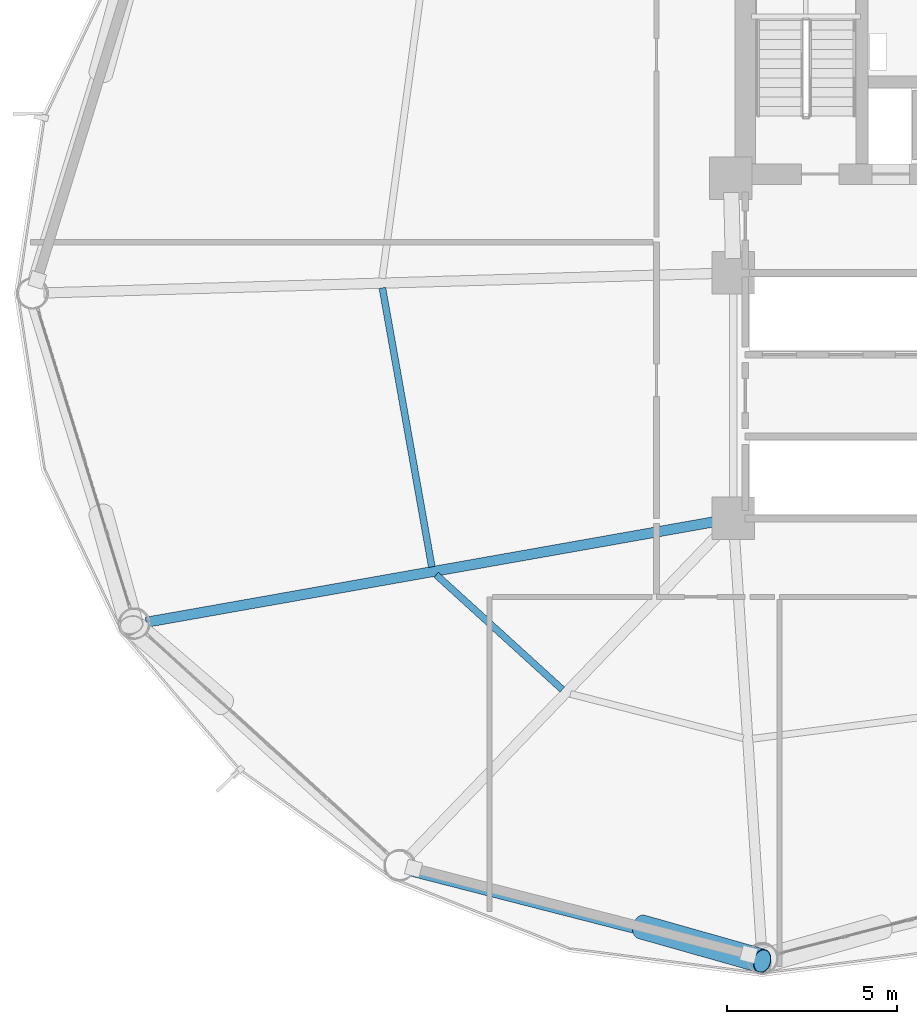
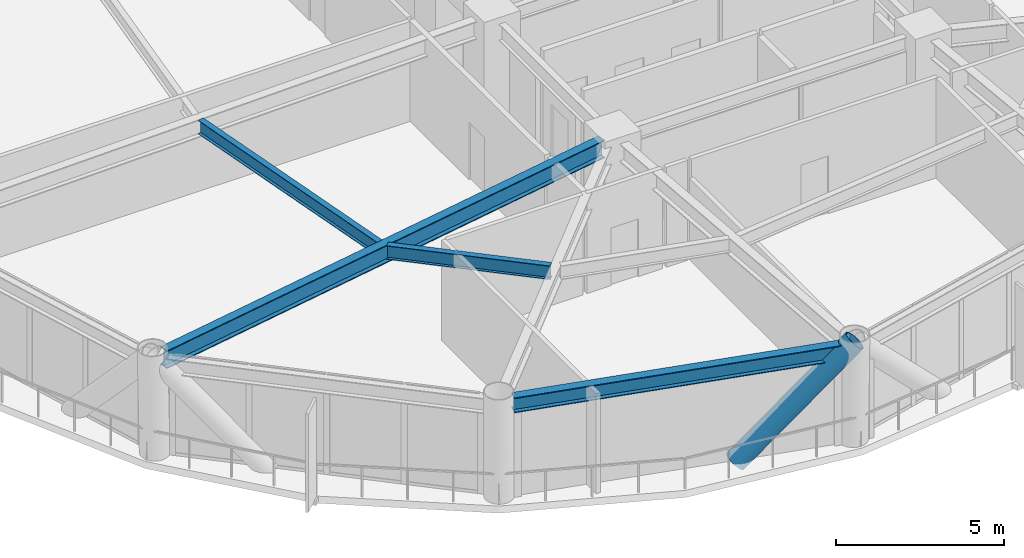
# One storey, part 5 of 25: 4 beams, 1 member.
"""IFC4 building model written with IfcOpenShell, lengths in metres."""

from ifc_helpers import new_model, si_unit, direction, frame, origin, origin_2d, place, context, subcontext, project, spatial, hollow_circle, i_section, extrude, material, material_profile, profile_set, type_object, element, save


model = new_model("IFC4")

# Units and contexts
model_context = context("Model", 3, precision=1e-05, world=origin(), true_north=direction((0.0, 1.0)))
body_context = subcontext(model_context, "Body", "Model", "MODEL_VIEW")
ifc_project = project(units=[si_unit("LENGTHUNIT", "METRE"), si_unit("AREAUNIT", "SQUARE_METRE"), si_unit("VOLUMEUNIT", "CUBIC_METRE"), si_unit("PLANEANGLEUNIT", "RADIAN"), si_unit("MASSUNIT", "GRAM", prefix="KILO")], contexts=[model_context])

# Site, building, storey
site_placement = place(None, origin())
site = spatial("IfcSite", under=ifc_project, at=site_placement, CompositionType="ELEMENT")
building_placement = place(site_placement, origin())
building = spatial("IfcBuilding", under=site, at=building_placement, Name="Varnakorn Sky Granary", CompositionType="ELEMENT")
storey_placement = place(building_placement, frame((0.0, 0.0, 58.800048828125)))
storey = spatial("IfcBuildingStorey", under=building, at=storey_placement, Name="L14", CompositionType="ELEMENT", Elevation=58.800048828125)

# Beams
ifc_material_1 = material(Name="Steel S355JR", Category="steel")
ifc_material_profile_1 = material_profile(ifc_material_1, i_section(OverallWidth=0.300048828125, OverallDepth=0.64990234375, WebThickness=0.01611328125, FlangeThickness=0.031005859375, at=origin_2d()), Name="HE 650 B")
ifc_profile_set_1 = profile_set([ifc_material_profile_1], Name="Steel S355JR")
beam_type_1 = type_object("IfcBeamType", Name="BM-RAD-Z1", PredefinedType="BEAM", material=ifc_profile_set_1)
beam_1_placement = place(storey_placement, frame((-2.763671875, -6.673095703125, 3.31494140625), z_axis=(-0.984707152317, -0.174217749312, 0.0), x_axis=(0.174217749312, -0.984707152317, 0.0)))
element("IfcBeam", 1, at=beam_1_placement, inside=storey, type_object=beam_type_1, Name="Radial Floor Girder RG08 L14", PredefinedType="BEAM", context=body_context, shape_type="SweptSolid", body=[
    extrude(i_section(OverallWidth=0.300048828125, OverallDepth=0.64990234375, WebThickness=0.01611328125, FlangeThickness=0.031005859375, at=origin_2d()), origin(), (0.0, 0.0, 1.0), 17.06982421875),
])
ifc_material_profile_2 = material_profile(ifc_material_1, i_section(OverallWidth=0.199951171875, OverallDepth=0.5, WebThickness=0.01025390625, FlangeThickness=0.01611328125, at=origin_2d()), Name="IPE 500")
ifc_profile_set_2 = profile_set([ifc_material_profile_2], Name="Steel S355JR")
beam_type_2 = type_object("IfcBeamType", Name="BM-SEC-Z1", PredefinedType="BEAM", material=ifc_profile_set_2)
beam_2_placement = place(storey_placement, frame((-12.642578125, 0.162353515625, 3.389892578125), z_axis=(0.174468927313, -0.984662680009, 0.0), x_axis=(0.984662680009, 0.174468927313, 0.0)))
element("IfcBeam", 2, at=beam_2_placement, inside=storey, type_object=beam_type_2, Name="Secondary Floor Chord Beam MSB07 L14", PredefinedType="BEAM", context=body_context, shape_type="SweptSolid", body=[
    extrude(i_section(OverallWidth=0.199951171875, OverallDepth=0.5, WebThickness=0.01025390625, FlangeThickness=0.01611328125, at=origin_2d()), origin(), (0.0, 0.0, 1.0), 8.31201171875),
])
beam_3_placement = place(storey_placement, frame((-11.064453125, -8.25439453125, 3.389892578125), z_axis=(0.739891480388, -0.672726242427, 0.0), x_axis=(0.672726242427, 0.739891480388, 0.0)))
element("IfcBeam", 3, at=beam_3_placement, inside=storey, type_object=beam_type_2, Name="Secondary Floor Chord Beam MSB08 L14", PredefinedType="BEAM", context=body_context, shape_type="SweptSolid", body=[
    extrude(i_section(OverallWidth=0.199951171875, OverallDepth=0.5, WebThickness=0.01025390625, FlangeThickness=0.01611328125, at=origin_2d()), origin(), (0.0, 0.0, 1.0), 5.001708984375),
])
ifc_material_profile_3 = material_profile(ifc_material_1, i_section(OverallWidth=0.300048828125, OverallDepth=0.550048828125, WebThickness=0.014892578125, FlangeThickness=0.029052734375, at=origin_2d()), Name="HE 550 B")
ifc_profile_set_3 = profile_set([ifc_material_profile_3], Name="Steel S355JR")
beam_type_3 = type_object("IfcBeamType", Name="BM-SPD-Z1", PredefinedType="SPANDREL", material=ifc_profile_set_3)
beam_4_placement = place(storey_placement, frame((-11.75732421875, -16.952392578125, 3.364990234375), z_axis=(0.968654217818, -0.24841297531, 0.0), x_axis=(0.24841297531, 0.968654217818, 0.0)))
element("IfcBeam", 4, at=beam_4_placement, inside=storey, type_object=beam_type_3, Name="Perimeter Spandrel Ring Beam RB09 L14", PredefinedType="SPANDREL", context=body_context, shape_type="SweptSolid", body=[
    extrude(i_section(OverallWidth=0.300048828125, OverallDepth=0.550048828125, WebThickness=0.014892578125, FlangeThickness=0.029052734375, at=origin_2d()), origin(), (0.0, 0.0, 1.0), 10.1474609375),
])

# Member
ifc_material_2 = material(Name="Steel S460M", Category="steel")
ifc_material_profile_4 = material_profile(ifc_material_2, hollow_circle(Radius=0.35546875, WallThickness=0.02490234375, at=origin_2d()), Name="CHS 711x25")
ifc_profile_set_4 = profile_set([ifc_material_profile_4], Name="Steel S460M")
member_type = type_object("IfcMemberType", Name="MB-DIAG-T0", PredefinedType="BRACE", material=ifc_profile_set_4)
member_placement = place(storey_placement, frame((-5.042236328125, -18.58056640625, -0.130126953125), z_axis=(0.672242192433, -0.190242362818, 0.715470668933), x_axis=(0.272302771362, 0.962211619504, 0.0)))
element("IfcMember", 5, at=member_placement, inside=storey, type_object=member_type, Name="Perimeter CHS Diagrid Brace DG09 L14", PredefinedType="BRACE", context=body_context, shape_type="SweptSolid", body=[
    extrude(hollow_circle(Radius=0.35546875, WallThickness=0.02490234375, at=origin_2d()), origin(), (0.0, 0.0, 1.0), 5.269287109375),
])

save(model, "model.ifc")
